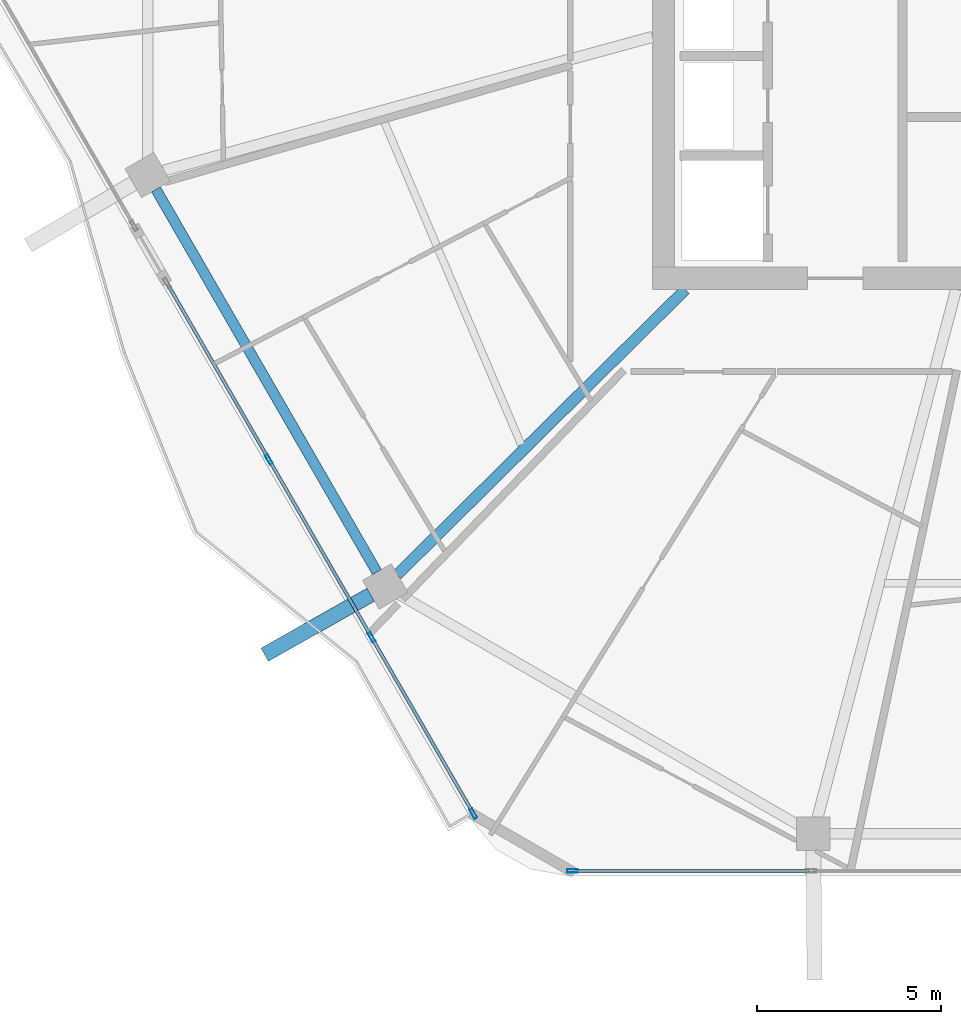
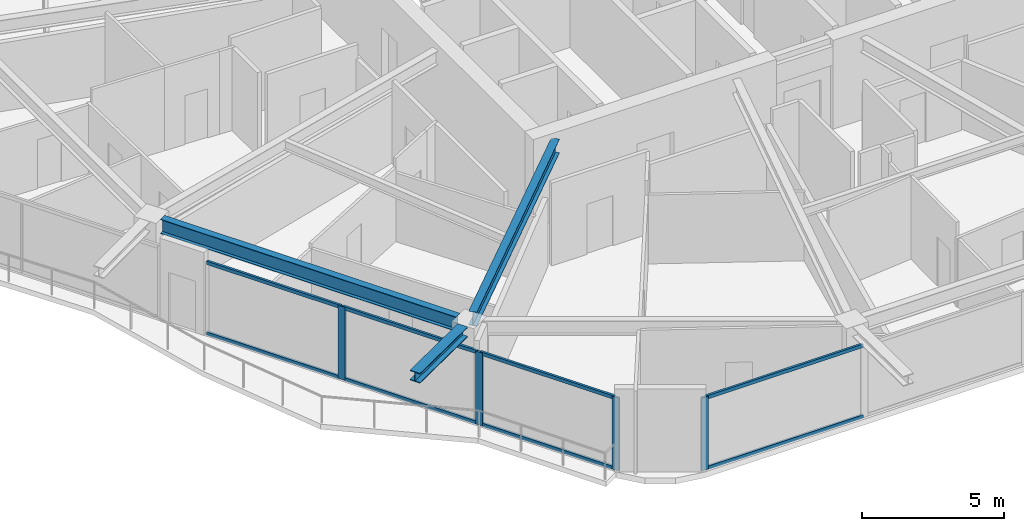
# One storey, part 2 of 26: 12 members, 3 beams, 2 elements without a shape of their own.
"""IFC4 building model written with IfcOpenShell, lengths in metres."""

import ifcopenshell
import ifcopenshell.guid

model = None  # the IFC model being written
_history = None  # IfcOwnerHistory: only IFC2X3 demands one
_inside = {}  # id of a spatial element -> (the spatial element, [elements in it])
_under = {}  # id of a project, library or spatial element -> (it, [spatial elements below it])
_declared = {}  # id of a project -> (the project, [libraries it declares])
_typed = {}  # id of a type object -> (the type object, [elements of that type])
_made_of = {}  # id of a material, layer set ... -> (it, [elements and type objects made of it])


def new_model(schema):
    """Start an empty IFC model of exactly this schema.

    Asked for "IFC4X3", IfcOpenShell would pick the latest addendum, in which some entities
    have other attributes; the version numbers below select the first issue.
    IFC2X3 requires an IfcOwnerHistory on every rooted entity: one is made here for all.
    """
    global model, _history
    if schema == "IFC4X3":
        model = ifcopenshell.file(schema_version=(4, 3, 0, 0))
    else:
        model = ifcopenshell.file(schema=schema)
    _inside.clear()
    _under.clear()
    _declared.clear()
    _typed.clear()
    _made_of.clear()
    _history = None
    if model.schema == "IFC2X3":
        org = make("IfcOrganization", Name="unknown")
        user = make(
            "IfcPersonAndOrganization",
            ThePerson=make("IfcPerson", FamilyName="unknown"),
            TheOrganization=org,
        )
        app = make(
            "IfcApplication",
            ApplicationDeveloper=org,
            Version="unknown",
            ApplicationFullName="unknown",
            ApplicationIdentifier="unknown",
        )
        _history = make(
            "IfcOwnerHistory",
            OwningUser=user,
            OwningApplication=app,
            ChangeAction="ADDED",
            CreationDate=0,
        )
    return model


def make(cls, **values):
    """One entity of the class cls with the attributes given. An attribute that is None is left unset."""
    return model.create_entity(
        cls, **{name: value for name, value in values.items() if value is not None}
    )


def rooted(cls, **values):
    """An entity with a GlobalId (a new one), such as an element, a storey or a relation."""
    return make(cls, GlobalId=ifcopenshell.guid.new(), OwnerHistory=_history, **values)


def si_unit(unit_type, name, prefix=None):
    """IfcSIUnit, for example si_unit("LENGTHUNIT", "METRE", prefix="MILLI")."""
    return make("IfcSIUnit", UnitType=unit_type, Prefix=prefix, Name=name)


def assignment(units):
    """IfcUnitAssignment: the units of a project."""
    return None if units is None else make("IfcUnitAssignment", Units=units)


def point(xyz):
    """IfcCartesianPoint."""
    return None if xyz is None else make("IfcCartesianPoint", Coordinates=xyz)


def direction(xyz):
    """IfcDirection."""
    return None if xyz is None else make("IfcDirection", DirectionRatios=xyz)


def frame(location, z_axis=None, x_axis=None):
    """IfcAxis2Placement3D, a coordinate frame: its origin and axes. An axis left out is left unset."""
    return make(
        "IfcAxis2Placement3D",
        Location=point(location),
        Axis=direction(z_axis),
        RefDirection=direction(x_axis),
    )


def frame_2d(location, x_axis=None):
    """IfcAxis2Placement2D, a coordinate frame in the plane: its origin and x axis."""
    return make(
        "IfcAxis2Placement2D", Location=point(location), RefDirection=direction(x_axis)
    )


def origin():
    """The frame at (0, 0, 0) with its axes left unset."""
    return frame((0.0, 0.0, 0.0))


def origin_2d():
    """The frame at (0, 0) in the plane with its x axis left unset."""
    return frame_2d((0.0, 0.0))


def place(relative_to, where):
    """IfcLocalPlacement: puts the frame where relative to a parent placement (None: the world)."""
    return make(
        "IfcLocalPlacement", PlacementRelTo=relative_to, RelativePlacement=where
    )


def context(
    kind, dimensions, precision=None, world=None, true_north=None, identifier=None
):
    """IfcGeometricRepresentationContext, for example the 3D "Model" context."""
    return make(
        "IfcGeometricRepresentationContext",
        ContextIdentifier=identifier,
        ContextType=kind,
        CoordinateSpaceDimension=dimensions,
        Precision=precision,
        WorldCoordinateSystem=world,
        TrueNorth=true_north,
    )


def subcontext(parent, identifier, kind, view, scale=None):
    """IfcGeometricRepresentationSubContext, for example "Body" below "Model"."""
    return make(
        "IfcGeometricRepresentationSubContext",
        ContextIdentifier=identifier,
        ContextType=kind,
        ParentContext=parent,
        TargetScale=scale,
        TargetView=view,
    )


def project(units=None, contexts=None):
    """IfcProject with its units and contexts."""
    return rooted(
        "IfcProject",
        Name="project",
        RepresentationContexts=contexts,
        UnitsInContext=assignment(units),
    )


def spatial(cls, under=None, at=None, **own):
    """A site, building, storey or space (cls), placed at a placement, below another one or the project."""
    s = rooted(cls, ObjectPlacement=at, **own)
    if under is not None:
        _under.setdefault(under.id(), (under, []))[1].append(s)
    return s


def profile(cls, at=None, kind="AREA", **sizes):
    """A parametric profile (cls). Its sizes go by their IFC names, for example OverallWidth=200.0."""
    return make(cls, ProfileType=kind, Position=at, **sizes)


def hollow_rectangle(**sizes):
    """IfcRectangleHollowProfileDef."""
    return profile("IfcRectangleHollowProfileDef", **sizes)


def i_section(**sizes):
    """IfcIShapeProfileDef."""
    return profile("IfcIShapeProfileDef", **sizes)


def extrude(swept, where, along, depth):
    """IfcExtrudedAreaSolid: the profile swept, set in the frame where, extruded along a direction by depth."""
    return make(
        "IfcExtrudedAreaSolid",
        SweptArea=swept,
        Position=where,
        ExtrudedDirection=direction(along),
        Depth=depth,
    )


def shape(context_of_items, identifier, shape_type, items):
    """IfcShapeRepresentation: the items that make up one representation, for example the "Body"."""
    return make(
        "IfcShapeRepresentation",
        ContextOfItems=context_of_items,
        RepresentationIdentifier=identifier,
        RepresentationType=shape_type,
        Items=items,
    )


def material(Name=None, Category=None):
    """IfcMaterial."""
    return make("IfcMaterial", Name=Name, Category=Category)


def material_profile(
    of_material, cross_section, Name=None, Category=None, Priority=None
):
    """IfcMaterialProfile: a cross section and its material."""
    return make(
        "IfcMaterialProfile",
        Name=Name,
        Material=of_material,
        Profile=cross_section,
        Priority=Priority,
        Category=Category,
    )


def profile_set(profiles, Name=None, composite=None):
    """IfcMaterialProfileSet."""
    return make(
        "IfcMaterialProfileSet",
        Name=Name,
        MaterialProfiles=profiles,
        CompositeProfile=composite,
    )


def made_of(thing, what):
    """Note that an element or type object is made of a material, layer set ...; save() writes the relation."""
    if what is not None:
        _made_of.setdefault(what.id(), (what, []))[1].append(thing)
    return thing


def type_object(cls, material=None, **own):
    """A type object (cls), such as IfcWallType, which elements share."""
    return made_of(rooted(cls, **own), material)


def element(
    cls,
    number,
    at=None,
    inside=None,
    cuts=None,
    type_object=None,
    material=None,
    context=None,
    identifier="Body",
    shape_type=None,
    held_by="IfcProductDefinitionShape",
    body=None,
    shapes=None,
    **own,
):
    """One element of the class cls, such as IfcWall. Its Tag is "e" and its number.

    at: its placement. inside: the storey or other place that contains it. cuts: it is an
    opening in that element (IfcRelVoidsElement). A single representation is given by context,
    identifier, shape_type and body (its items); several are given by shapes. held_by: the class
    of the entity that holds the representations. save() writes the other relations.
    """
    e = rooted(cls, Tag="e%d" % number, ObjectPlacement=at, **own)
    if body is not None:
        shapes = [shape(context, identifier, shape_type, body)]
    if shapes is not None:
        e.Representation = make(held_by, Representations=shapes)
    if inside is not None:
        _inside.setdefault(inside.id(), (inside, []))[1].append(e)
    if cuts is not None:
        rooted(
            "IfcRelVoidsElement", RelatingBuildingElement=cuts, RelatedOpeningElement=e
        )
    if type_object is not None:
        _typed.setdefault(type_object.id(), (type_object, []))[1].append(e)
    return made_of(e, material)


def aggregate(whole, parts):
    """IfcRelAggregates: a whole, such as a stair, and the parts it consists of."""
    return rooted("IfcRelAggregates", RelatingObject=whole, RelatedObjects=parts)


def save(model, path):
    """Write the relations noted so far, then the file.

    IfcRelAggregates (storeys below a building ...), IfcRelContainedInSpatialStructure (elements
    in a storey), IfcRelDefinesByType, IfcRelAssociatesMaterial and IfcRelDeclares: one each for
    every whole, place, type object, material and project.
    """
    for whole, parts in _under.values():
        aggregate(whole, parts)
    for where, things in _inside.values():
        rooted(
            "IfcRelContainedInSpatialStructure",
            RelatedElements=things,
            RelatingStructure=where,
        )
    for kind, things in _typed.values():
        rooted("IfcRelDefinesByType", RelatedObjects=things, RelatingType=kind)
    for what, things in _made_of.values():
        rooted("IfcRelAssociatesMaterial", RelatedObjects=things, RelatingMaterial=what)
    for by, libraries in _declared.values():
        rooted("IfcRelDeclares", RelatingContext=by, RelatedDefinitions=libraries)
    model.write(path)


model = new_model("IFC4")

# Units and contexts
model_context = context("Model", 3, precision=1e-05, world=origin(), true_north=direction((0.0, 1.0)))
body_context = subcontext(model_context, "Body", "Model", "MODEL_VIEW")
ifc_project = project(units=[si_unit("LENGTHUNIT", "METRE"), si_unit("AREAUNIT", "SQUARE_METRE"), si_unit("VOLUMEUNIT", "CUBIC_METRE"), si_unit("PLANEANGLEUNIT", "RADIAN"), si_unit("MASSUNIT", "GRAM", prefix="KILO")], contexts=[model_context])

# Site, building, storey
site_placement = place(None, origin())
site = spatial("IfcSite", under=ifc_project, at=site_placement, CompositionType="ELEMENT")
building_placement = place(site_placement, origin())
building = spatial("IfcBuilding", under=site, at=building_placement, Name="Zuhravey Tower", CompositionType="ELEMENT")
storey_placement = place(building_placement, frame((0.0, 0.0, 250.199951171875)))
storey = spatial("IfcBuildingStorey", under=building, at=storey_placement, Name="L63", CompositionType="ELEMENT", Elevation=250.199951171875)

# Curtain wall, member
ifc_material_1 = material(Name="Thermally broken anodised aluminium", Category="aluminium")
curtain_wall_type = type_object("IfcCurtainWallType", Name="Zone 3-4 High-Rise Curtain Wall CW4", PredefinedType="NOTDEFINED", material=ifc_material_1)
curtain_wall_1_placement = place(storey_placement, origin())
curtain_wall_1 = element("IfcCurtainWall", 1, at=curtain_wall_1_placement, inside=storey, type_object=curtain_wall_type, Name="L63 CW4 CW-L63-F5-1", PredefinedType="NOTDEFINED")
ifc_material_2 = material(Name="Anodised aluminium", Category="aluminium")
ifc_material_profile_1 = material_profile(ifc_material_2, hollow_rectangle(XDim=0.090087890625, YDim=0.284912109375, WallThickness=0.0048828125, at=origin_2d()), Name="ALU-RHS-90x285x5")
ifc_profile_set_1 = profile_set([ifc_material_profile_1], Name="Anodised aluminium")
member_type_1 = type_object("IfcMemberType", Name="Curtain-Wall Mullion 90x180", PredefinedType="MULLION", material=ifc_profile_set_1)
member_1_placement = place(storey_placement, frame((23.0322265625, 6.436279296875, 0.0), z_axis=(0.0, 0.0, 1.0), x_axis=(0.0, -1.0, 0.0)))
member_1 = element("IfcMember", 2, at=member_1_placement, type_object=member_type_1, Name="CW4 mullion 5", PredefinedType="MULLION", context=body_context, shape_type="SweptSolid", body=[
    extrude(hollow_rectangle(XDim=0.090087890625, YDim=0.284912109375, WallThickness=0.0048828125, at=origin_2d()), origin(), (0.0, 0.0, 1.0), 3.1220703125),
])

# Curtain wall, members
curtain_wall_2_placement = place(storey_placement, origin())
curtain_wall_2 = element("IfcCurtainWall", 3, at=curtain_wall_2_placement, inside=storey, type_object=curtain_wall_type, Name="L63 CW4 CW-L63-F4-1", PredefinedType="NOTDEFINED")
member_2_placement = place(storey_placement, frame((20.34521484375, 7.98779296875, 0.0), z_axis=(0.0, 0.0, 1.0), x_axis=(-0.866024854747, -0.50000095096, 0.0)))
member_2 = element("IfcMember", 4, at=member_2_placement, type_object=member_type_1, Name="CW4 mullion 1", PredefinedType="MULLION", context=body_context, shape_type="SweptSolid", body=[
    extrude(hollow_rectangle(XDim=0.090087890625, YDim=0.284912109375, WallThickness=0.0048828125, at=origin_2d()), origin(), (0.0, 0.0, 1.0), 3.1220703125),
])
member_3_placement = place(storey_placement, frame((17.583984375, 12.770263671875, 0.0), z_axis=(0.0, 0.0, 1.0), x_axis=(-0.866024854747, -0.50000095096, 0.0)))
member_3 = element("IfcMember", 5, at=member_3_placement, type_object=member_type_1, Name="CW4 mullion 2", PredefinedType="MULLION", context=body_context, shape_type="SweptSolid", body=[
    extrude(hollow_rectangle(XDim=0.090087890625, YDim=0.284912109375, WallThickness=0.0048828125, at=origin_2d()), origin(), (0.0, 0.0, 1.0), 3.1220703125),
])
member_4_placement = place(storey_placement, frame((14.800537109375, 17.591552734375, 0.0), z_axis=(0.0, 0.0, 1.0), x_axis=(-0.866024854747, -0.50000095096, 0.0)))
member_4 = element("IfcMember", 6, at=member_4_placement, type_object=member_type_1, Name="CW4 mullion 3", PredefinedType="MULLION", context=body_context, shape_type="SweptSolid", body=[
    extrude(hollow_rectangle(XDim=0.090087890625, YDim=0.284912109375, WallThickness=0.0048828125, at=origin_2d()), origin(), (0.0, 0.0, 1.0), 3.1220703125),
])

# Member
ifc_material_profile_2 = material_profile(ifc_material_2, hollow_rectangle(XDim=0.090087890625, YDim=0.14990234375, WallThickness=0.0048828125, at=origin_2d()), Name="ALU-RHS-90x150x5")
ifc_profile_set_2 = profile_set([ifc_material_profile_2], Name="Anodised aluminium")
member_type_2 = type_object("IfcMemberType", Name="Curtain-Wall Transom 90x150", PredefinedType="USERDEFINED", material=ifc_profile_set_2)
member_5_placement = place(storey_placement, frame((29.44873046875, 6.436279296875, 0.045166015625), z_axis=(-1.0, 0.0, 0.0), x_axis=(0.0, -1.0, 0.0)))
member_5 = element("IfcMember", 7, at=member_5_placement, type_object=member_type_2, Name="CW4 transom 4.1", ObjectType="TRANSOM", PredefinedType="USERDEFINED", context=body_context, shape_type="SweptSolid", body=[
    extrude(hollow_rectangle(XDim=0.090087890625, YDim=0.14990234375, WallThickness=0.0048828125, at=origin_2d()), origin(), (0.0, 0.0, 1.0), 6.371337890625),
])

member_6_placement = place(storey_placement, frame((29.44873046875, 6.436279296875, 3.0771484375), z_axis=(-1.0, 0.0, 0.0), x_axis=(0.0, -1.0, 0.0)))
member_6 = element("IfcMember", 8, at=member_6_placement, type_object=member_type_2, Name="CW4 transom 4.2", ObjectType="TRANSOM", PredefinedType="USERDEFINED", context=body_context, shape_type="SweptSolid", body=[
    extrude(hollow_rectangle(XDim=0.090087890625, YDim=0.14990234375, WallThickness=0.0048828125, at=origin_2d()), origin(), (0.0, 0.0, 1.0), 6.371337890625),
])

aggregate(curtain_wall_1, [member_1, member_5, member_6])

member_7_placement = place(storey_placement, frame((20.322509765625, 8.02685546875, 0.045166015625), z_axis=(-0.500001269542, 0.866024670813, 0.0), x_axis=(-0.866024670813, -0.500001269542, 0.0)))
member_7 = element("IfcMember", 9, at=member_7_placement, type_object=member_type_2, Name="CW4 transom 1.1", ObjectType="TRANSOM", PredefinedType="USERDEFINED", context=body_context, shape_type="SweptSolid", body=[
    extrude(hollow_rectangle(XDim=0.090087890625, YDim=0.14990234375, WallThickness=0.0048828125, at=origin_2d()), origin(), (0.0, 0.0, 1.0), 5.43212890625),
])

member_8_placement = place(storey_placement, frame((20.322509765625, 8.02685546875, 3.0771484375), z_axis=(-0.500001269542, 0.866024670813, 0.0), x_axis=(-0.866024670813, -0.500001269542, 0.0)))
member_8 = element("IfcMember", 10, at=member_8_placement, type_object=member_type_2, Name="CW4 transom 1.2", ObjectType="TRANSOM", PredefinedType="USERDEFINED", context=body_context, shape_type="SweptSolid", body=[
    extrude(hollow_rectangle(XDim=0.090087890625, YDim=0.14990234375, WallThickness=0.0048828125, at=origin_2d()), origin(), (0.0, 0.0, 1.0), 5.43212890625),
])

member_9_placement = place(storey_placement, frame((17.5615234375, 12.80908203125, 0.045166015625), z_axis=(-0.499988687694, 0.866031934849, 0.0), x_axis=(-0.866031934849, -0.499988687694, 0.0)))
member_9 = element("IfcMember", 11, at=member_9_placement, type_object=member_type_2, Name="CW4 transom 2.1", ObjectType="TRANSOM", PredefinedType="USERDEFINED", context=body_context, shape_type="SweptSolid", body=[
    extrude(hollow_rectangle(XDim=0.090087890625, YDim=0.14990234375, WallThickness=0.0048828125, at=origin_2d()), origin(), (0.0, 0.0, 1.0), 5.477294921875),
])

member_10_placement = place(storey_placement, frame((17.5615234375, 12.80908203125, 3.0771484375), z_axis=(-0.499988687694, 0.866031934849, 0.0), x_axis=(-0.866031934849, -0.499988687694, 0.0)))
member_10 = element("IfcMember", 12, at=member_10_placement, type_object=member_type_2, Name="CW4 transom 2.2", ObjectType="TRANSOM", PredefinedType="USERDEFINED", context=body_context, shape_type="SweptSolid", body=[
    extrude(hollow_rectangle(XDim=0.090087890625, YDim=0.14990234375, WallThickness=0.0048828125, at=origin_2d()), origin(), (0.0, 0.0, 1.0), 5.477294921875),
])

member_11_placement = place(storey_placement, frame((14.778076171875, 17.63037109375, 0.045166015625), z_axis=(-0.500001269542, 0.866024670813, 0.0), x_axis=(-0.866024670813, -0.500001269542, 0.0)))
member_11 = element("IfcMember", 13, at=member_11_placement, type_object=member_type_2, Name="CW4 transom 3.1", ObjectType="TRANSOM", PredefinedType="USERDEFINED", context=body_context, shape_type="SweptSolid", body=[
    extrude(hollow_rectangle(XDim=0.090087890625, YDim=0.14990234375, WallThickness=0.0048828125, at=origin_2d()), origin(), (0.0, 0.0, 1.0), 5.43212890625),
])

member_12_placement = place(storey_placement, frame((14.778076171875, 17.63037109375, 3.0771484375), z_axis=(-0.500001269542, 0.866024670813, 0.0), x_axis=(-0.866024670813, -0.500001269542, 0.0)))
member_12 = element("IfcMember", 14, at=member_12_placement, type_object=member_type_2, Name="CW4 transom 3.2", ObjectType="TRANSOM", PredefinedType="USERDEFINED", context=body_context, shape_type="SweptSolid", body=[
    extrude(hollow_rectangle(XDim=0.090087890625, YDim=0.14990234375, WallThickness=0.0048828125, at=origin_2d()), origin(), (0.0, 0.0, 1.0), 5.43212890625),
])

aggregate(curtain_wall_2, [member_2, member_3, member_4, member_7, member_8, member_9, member_10, member_11, member_12])

# Beams
ifc_material_3 = material(Name="Steel SM460", Category="steel")
ifc_material_profile_3 = material_profile(ifc_material_3, i_section(OverallWidth=0.406982421875, OverallDepth=0.427978515625, WebThickness=0.02001953125, FlangeThickness=0.034912109375, at=origin_2d()), Name="H-428x407x20x35")
ifc_profile_set_3 = profile_set([ifc_material_profile_3], Name="Steel SM460")
beam_type_1 = type_object("IfcBeamType", Name="Exoskeleton Node Tie Beam H428x407", PredefinedType="BEAM", material=ifc_profile_set_3)
beam_1_placement = place(storey_placement, frame((17.561279296875, 13.921875, 3.3359375), z_axis=(-0.870374073409, -0.492391076622, 0.0), x_axis=(0.492391076622, -0.870374073409, 0.0)))
element("IfcBeam", 15, at=beam_1_placement, inside=storey, type_object=beam_type_1, Name="L63 Exoskeleton Node Tie NT1-08", PredefinedType="BEAM", context=body_context, shape_type="SweptSolid", body=[
    extrude(i_section(OverallWidth=0.406982421875, OverallDepth=0.427978515625, WebThickness=0.02001953125, FlangeThickness=0.034912109375, at=origin_2d()), origin(), (0.0, 0.0, 1.0), 3.30126953125),
])
ifc_material_4 = material(Name="Steel SM355", Category="steel")
ifc_material_profile_4 = material_profile(ifc_material_4, i_section(OverallWidth=0.280029296875, OverallDepth=0.6201171875, WebThickness=0.011962890625, FlangeThickness=0.02001953125, at=origin_2d()), Name="H-620x280x12x20")
ifc_profile_set_4 = profile_set([ifc_material_profile_4], Name="Steel SM355")
beam_type_2 = type_object("IfcBeamType", Name="Perimeter Ring Beam H620x280", PredefinedType="BEAM", material=ifc_profile_set_4)
beam_2_placement = place(storey_placement, frame((11.741943359375, 24.90869140625, 3.239990234375), z_axis=(0.500017744717, -0.866015158625, 0.0), x_axis=(0.866015158625, 0.500017744717, 0.0)))
element("IfcBeam", 16, at=beam_2_placement, inside=storey, type_object=beam_type_2, Name="L63 PB3 BM-L63-PB-07", PredefinedType="BEAM", context=body_context, shape_type="SweptSolid", body=[
    extrude(i_section(OverallWidth=0.280029296875, OverallDepth=0.6201171875, WebThickness=0.011962890625, FlangeThickness=0.02001953125, at=origin_2d()), origin(), (0.0, 0.0, 1.0), 11.9755859375),
])
ifc_material_profile_5 = material_profile(ifc_material_4, i_section(OverallWidth=0.300048828125, OverallDepth=0.60009765625, WebThickness=0.011962890625, FlangeThickness=0.02001953125, at=origin_2d()), Name="H-600x300x12x20")
ifc_profile_set_5 = profile_set([ifc_material_profile_5], Name="Steel SM355")
beam_type_3 = type_object("IfcBeamType", Name="Radial Primary Girder H600x300", PredefinedType="BEAM", material=ifc_profile_set_5)
beam_3_placement = place(storey_placement, frame((26.09326171875, 22.197021484375, 3.25), z_axis=(-0.710816516282, -0.703377480576, 0.0), x_axis=(0.703377480576, -0.710816516282, 0.0)))
element("IfcBeam", 17, at=beam_3_placement, inside=storey, type_object=beam_type_3, Name="L63 RG3 BM-L63-RAD-08", PredefinedType="BEAM", context=body_context, shape_type="SweptSolid", body=[
    extrude(i_section(OverallWidth=0.300048828125, OverallDepth=0.60009765625, WebThickness=0.011962890625, FlangeThickness=0.02001953125, at=origin_2d()), origin(), (0.0, 0.0, 1.0), 10.994384765625),
])

save(model, "model.ifc")
